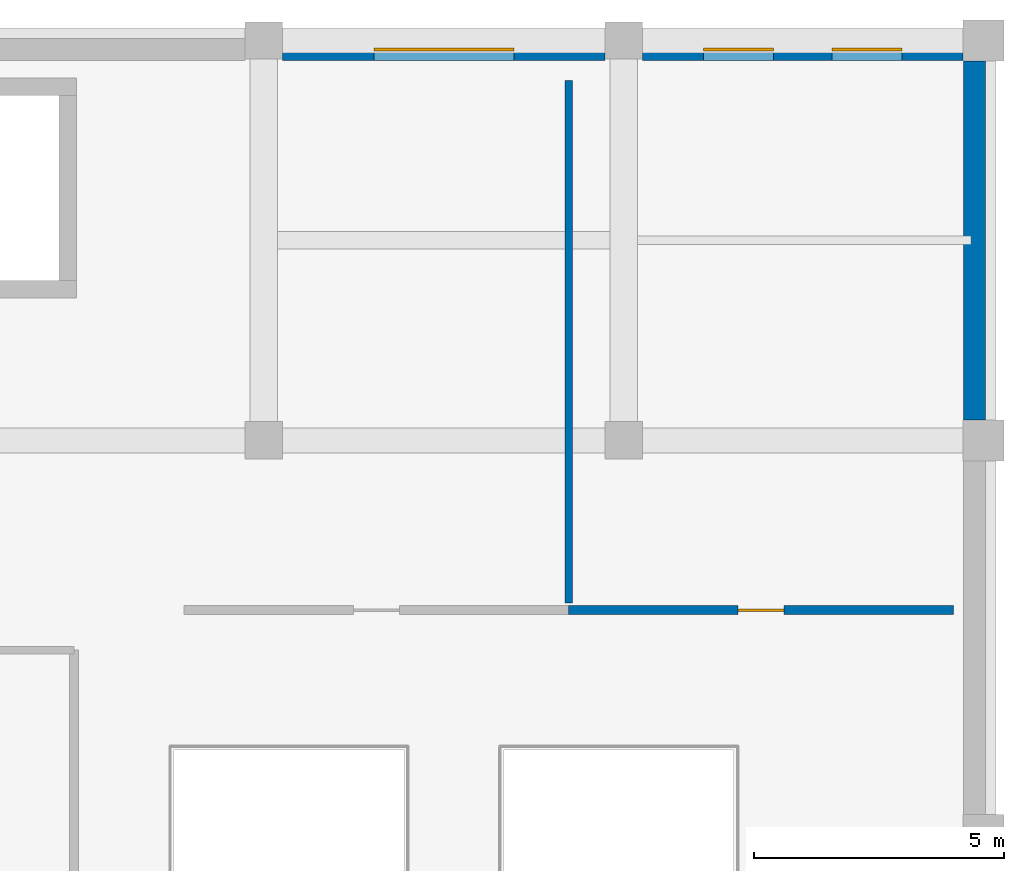
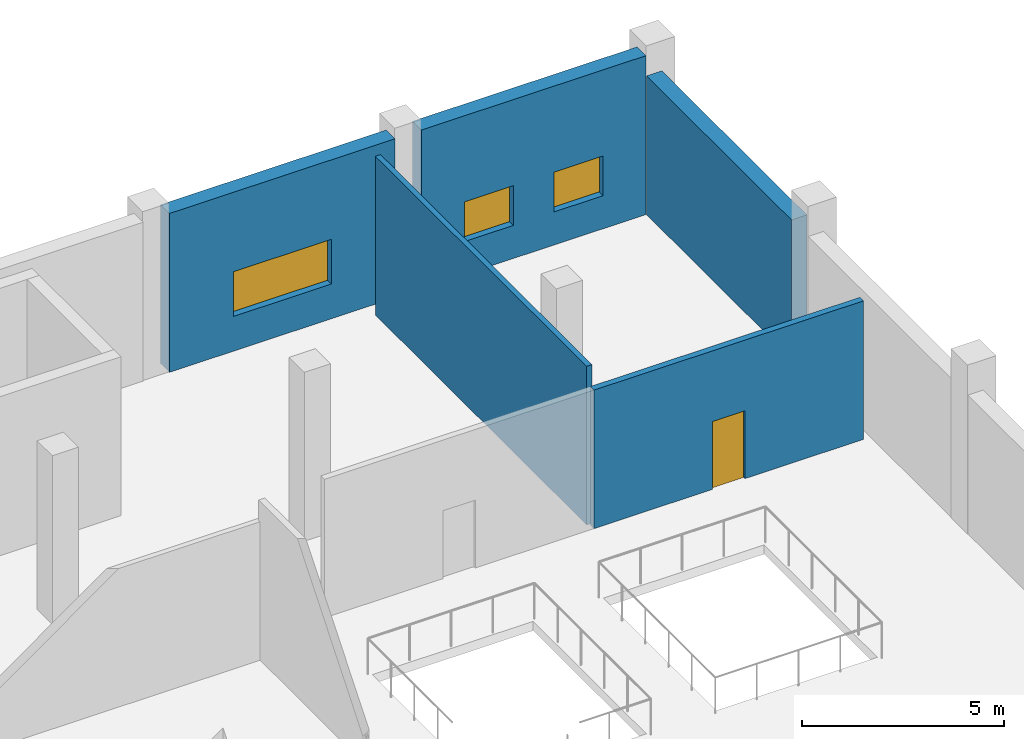
# One storey, part 3 of 4: 5 walls, 3 windows, 1 door, 4 openings.
"""IFC4 building model written with IfcOpenShell, lengths in metres."""

from ifc_helpers import new_model, si_unit, direction, frame, frame_2d, origin, place, context, subcontext, project, spatial, rectangle, extrude, material, layer, layer_set, type_object, element, fill, save


model = new_model("IFC4")

# Units and contexts
model_context = context("Model", 3, precision=1e-05, world=origin(), true_north=direction((0.0, 1.0)))
body_context = subcontext(model_context, "Body", "Model", "MODEL_VIEW")
ifc_project = project(units=[si_unit("LENGTHUNIT", "METRE"), si_unit("AREAUNIT", "SQUARE_METRE"), si_unit("VOLUMEUNIT", "CUBIC_METRE"), si_unit("PLANEANGLEUNIT", "RADIAN"), si_unit("MASSUNIT", "GRAM", prefix="KILO")], contexts=[model_context])

# Site, building, storey
site_placement = place(None, origin())
site = spatial("IfcSite", under=ifc_project, at=site_placement, CompositionType="ELEMENT")
building_placement = place(site_placement, origin())
building = spatial("IfcBuilding", under=site, at=building_placement, Name="Kelarvand Opera House", CompositionType="ELEMENT")
storey_placement = place(building_placement, frame((0.0, 0.0, 28.5)))
storey = spatial("IfcBuildingStorey", under=building, at=storey_placement, Name="L06", CompositionType="ELEMENT", Elevation=28.5)

# Wall
ifc_material_1 = material(Name="Acoustic double-stud gypsum partition")
ifc_layer_1 = layer(ifc_material_1, 0.14990234375, Name="Acoustic double-stud gypsum partition")
ifc_layer_set_1 = layer_set([ifc_layer_1], Name="Acoustic double-stud gypsum partition")
wall_type_1 = type_object("IfcWallType", Name="Acoustic Room Partition Wall 150", PredefinedType="PARTITIONING", material=ifc_layer_set_1)
wall_1_placement = place(storey_placement, frame((79.699951171875, 67.139892578125, 0.0), z_axis=(0.0, 0.0, 1.0), x_axis=(0.0, 1.0, 0.0)))
element("IfcWall", 1, at=wall_1_placement, inside=storey, type_object=wall_type_1, Name="V2 L06 Partition Wall IW-150 (686)", PredefinedType="PARTITIONING", context=body_context, shape_type="SweptSolid", body=[
    extrude(rectangle(XDim=10.460205078125, YDim=0.14990234375, at=frame_2d((5.22998046875, 0.0))), origin(), (0.0, 0.0, 1.0), 4.7919921875),
])

# Wall, opening, door
ifc_material_2 = material(Name="Concrete C35/45", Category="concrete")
ifc_layer_2 = layer(ifc_material_2, 0.179931640625, Name="Concrete C35/45", Category="concrete")
ifc_layer_set_2 = layer_set([ifc_layer_2], Name="Concrete C35/45")
wall_type_2 = type_object("IfcWallType", Name="Corridor Fire-Rated Partition Wall 180 EI90", PredefinedType="PARTITIONING", material=ifc_layer_set_2)
wall_2_placement = place(storey_placement, frame((79.699951171875, 67.0, 0.0), z_axis=(0.0, 0.0, 1.0), x_axis=(1.0, 0.0, 0.0)))
wall_2 = element("IfcWall", 2, at=wall_2_placement, inside=storey, type_object=wall_type_2, Name="V2 L06 Partition Wall IW-90 (687)", PredefinedType="PARTITIONING", context=body_context, shape_type="SweptSolid", body=[
    extrude(rectangle(XDim=7.699951171875, YDim=0.179931640625, at=frame_2d((3.85009765625, 0.0))), origin(), (0.0, 0.0, 1.0), 4.184814453125),
])
opening_1_placement = place(wall_2_placement, frame((3.389892578125, 0.0, 0.0)))
opening_1 = element("IfcOpeningElement", 3, at=opening_1_placement, cuts=wall_2, Name="Opening D-01", PredefinedType="OPENING", context=body_context, shape_type="SweptSolid", body=[
    extrude(rectangle(XDim=0.919921875, YDim=2.050048828125, at=frame_2d((0.4599609375, 1.02490234375))), frame((0.0, 0.10009765625, 0.0), z_axis=(0.0, -1.0, 0.0), x_axis=(1.0, 0.0, 0.0)), (0.0, 0.0, 1.0), 0.199951171875),
])
ifc_material_3 = material(Name="Acoustic walnut-veneered hardwood", Category="wood")
door_type = type_object("IfcDoorType", Name="Solid Timber Dressing and WC Door 920x2050", OperationType="NOTDEFINED", PredefinedType="DOOR", material=ifc_material_3)
door_placement = place(opening_1_placement, origin())
door = element("IfcDoor", 4, at=door_placement, inside=storey, type_object=door_type, Name="V2 L06 Door D-01 (308)", OperationType="SINGLE_SWING_RIGHT", OverallHeight=2.050048828125, OverallWidth=0.919921875, PredefinedType="DOOR", context=body_context, shape_type="SweptSolid", body=[
    extrude(rectangle(XDim=0.919921875, YDim=2.050048828125, at=frame_2d((0.4599609375, 1.02490234375))), frame((0.0, 0.02490234375, 0.0), z_axis=(0.0, -1.0, 0.0), x_axis=(1.0, 0.0, 0.0)), (0.0, 0.0, 1.0), 0.050048828125),
])
fill(opening_1, door)

# Wall
ifc_layer_3 = layer(ifc_material_2, 0.43994140625, Name="Concrete C35/45", Category="concrete")
ifc_layer_set_3 = layer_set([ifc_layer_3], Name="Concrete C35/45")
wall_type_3 = type_object("IfcWallType", Name="Stage House Acoustic Cavity Wall 440", PredefinedType="SOLIDWALL", material=ifc_layer_set_3)
wall_3_placement = place(storey_placement, frame((87.820068359375, 77.989990234375, 0.0), z_axis=(0.0, 0.0, 1.0), x_axis=(0.0, -1.0, 0.0)))
element("IfcWall", 5, at=wall_3_placement, inside=storey, type_object=wall_type_3, Name="V2 L06 Exterior Wall EW-440 (332)", PredefinedType="SOLIDWALL", context=body_context, shape_type="SweptSolid", body=[
    extrude(rectangle(XDim=7.179931640625, YDim=0.43994140625, at=frame_2d((3.58984375, 0.0))), origin(), (0.0, 0.0, 1.0), 4.191650390625),
])

# Wall, opening, window
wall_4_placement = place(storey_placement, frame((73.97509765625, 78.219970703125, 0.0), z_axis=(0.0, 0.0, 1.0), x_axis=(1.0, 0.0, 0.0)))
wall_4 = element("IfcWall", 6, at=wall_4_placement, inside=storey, type_object=wall_type_3, Name="V2 L06 Exterior Wall EW-440 (338)", PredefinedType="SOLIDWALL", context=body_context, shape_type="SweptSolid", body=[
    extrude(rectangle(XDim=6.449951171875, YDim=0.43994140625, at=frame_2d((3.22509765625, 0.0))), origin(), (0.0, 0.0, 1.0), 4.800048828125),
])
opening_2_placement = place(wall_4_placement, frame((1.824951171875, 0.0, 1.050048828125)))
opening_2 = element("IfcOpeningElement", 7, at=opening_2_placement, cuts=wall_4, Name="Opening WN-21", PredefinedType="OPENING", context=body_context, shape_type="SweptSolid", body=[
    extrude(rectangle(XDim=2.800048828125, YDim=1.35009765625, at=frame_2d((1.39990234375, 0.675048828125))), frame((0.0, 0.22998046875, 0.0), z_axis=(0.0, -1.0, 0.0), x_axis=(1.0, 0.0, 0.0)), (0.0, 0.0, 1.0), 0.4599609375),
])
ifc_material_4 = material(Name="Thermally broken aluminium and low-E double glazing", Category="aluminium")
window_type_1 = type_object("IfcWindowType", Name="Recessed Aluminium Thermal Window 2800x1350 WN-21", PartitioningType="SINGLE_PANEL", PredefinedType="WINDOW", material=ifc_material_4)
window_1_placement = place(opening_2_placement, origin())
window_1 = element("IfcWindow", 8, at=window_1_placement, inside=storey, type_object=window_type_1, Name="V2 L06 Facade Window WN-21 (124)", OverallHeight=1.35009765625, OverallWidth=2.800048828125, PartitioningType="SINGLE_PANEL", PredefinedType="WINDOW", context=body_context, shape_type="SweptSolid", body=[
    extrude(rectangle(XDim=2.800048828125, YDim=1.35009765625, at=frame_2d((1.39990234375, 0.675048828125))), frame((0.0, 0.030029296875, 0.0), z_axis=(0.0, -1.0, 0.0), x_axis=(1.0, 0.0, 0.0)), (0.0, 0.0, 1.0), 0.06005859375),
])
fill(opening_2, window_1)

# Wall, openings, windows
wall_5_placement = place(storey_placement, frame((81.175048828125, 78.219970703125, 0.0), z_axis=(0.0, 0.0, 1.0), x_axis=(1.0, 0.0, 0.0)))
wall_5 = element("IfcWall", 9, at=wall_5_placement, inside=storey, type_object=wall_type_3, Name="V2 L06 Exterior Wall EW-440 (339)", PredefinedType="SOLIDWALL", context=body_context, shape_type="SweptSolid", body=[
    extrude(rectangle(XDim=6.4150390625, YDim=0.43994140625, at=frame_2d((3.20751953125, 0.0))), origin(), (0.0, 0.0, 1.0), 4.800048828125),
])
opening_3_placement = place(wall_5_placement, frame((1.22509765625, 0.0, 1.0)))
opening_3 = element("IfcOpeningElement", 10, at=opening_3_placement, cuts=wall_5, Name="Opening WN-24", PredefinedType="OPENING", context=body_context, shape_type="SweptSolid", body=[
    extrude(rectangle(XDim=1.39990234375, YDim=1.199951171875, at=frame_2d((0.699951171875, 0.60009765625))), frame((0.0, 0.22998046875, 0.0), z_axis=(0.0, -1.0, 0.0), x_axis=(1.0, 0.0, 0.0)), (0.0, 0.0, 1.0), 0.4599609375),
])
opening_4_placement = place(wall_5_placement, frame((3.791015625, 0.0, 1.0)))
opening_4 = element("IfcOpeningElement", 11, at=opening_4_placement, cuts=wall_5, Name="Opening WN-24", PredefinedType="OPENING", context=body_context, shape_type="SweptSolid", body=[
    extrude(rectangle(XDim=1.39990234375, YDim=1.199951171875, at=frame_2d((0.699951171875, 0.60009765625))), frame((0.0, 0.22998046875, 0.0), z_axis=(0.0, -1.0, 0.0), x_axis=(1.0, 0.0, 0.0)), (0.0, 0.0, 1.0), 0.4599609375),
])
window_type_2 = type_object("IfcWindowType", Name="Recessed Aluminium Thermal Window 1400x1200 WN-24", PartitioningType="SINGLE_PANEL", PredefinedType="WINDOW", material=ifc_material_4)
window_2_placement = place(opening_3_placement, origin())
window_2 = element("IfcWindow", 12, at=window_2_placement, inside=storey, type_object=window_type_2, Name="V2 L06 Facade Window WN-24 (125)", OverallHeight=1.199951171875, OverallWidth=1.39990234375, PartitioningType="SINGLE_PANEL", PredefinedType="WINDOW", context=body_context, shape_type="SweptSolid", body=[
    extrude(rectangle(XDim=1.39990234375, YDim=1.199951171875, at=frame_2d((0.699951171875, 0.60009765625))), frame((0.0, 0.030029296875, 0.0), z_axis=(0.0, -1.0, 0.0), x_axis=(1.0, 0.0, 0.0)), (0.0, 0.0, 1.0), 0.06005859375),
])
fill(opening_3, window_2)
window_3_placement = place(opening_4_placement, origin())
window_3 = element("IfcWindow", 13, at=window_3_placement, inside=storey, type_object=window_type_2, Name="V2 L06 Facade Window WN-24 (126)", OverallHeight=1.199951171875, OverallWidth=1.39990234375, PartitioningType="SINGLE_PANEL", PredefinedType="WINDOW", context=body_context, shape_type="SweptSolid", body=[
    extrude(rectangle(XDim=1.39990234375, YDim=1.199951171875, at=frame_2d((0.699951171875, 0.60009765625))), frame((0.0, 0.030029296875, 0.0), z_axis=(0.0, -1.0, 0.0), x_axis=(1.0, 0.0, 0.0)), (0.0, 0.0, 1.0), 0.06005859375),
])
fill(opening_4, window_3)

save(model, "model.ifc")
